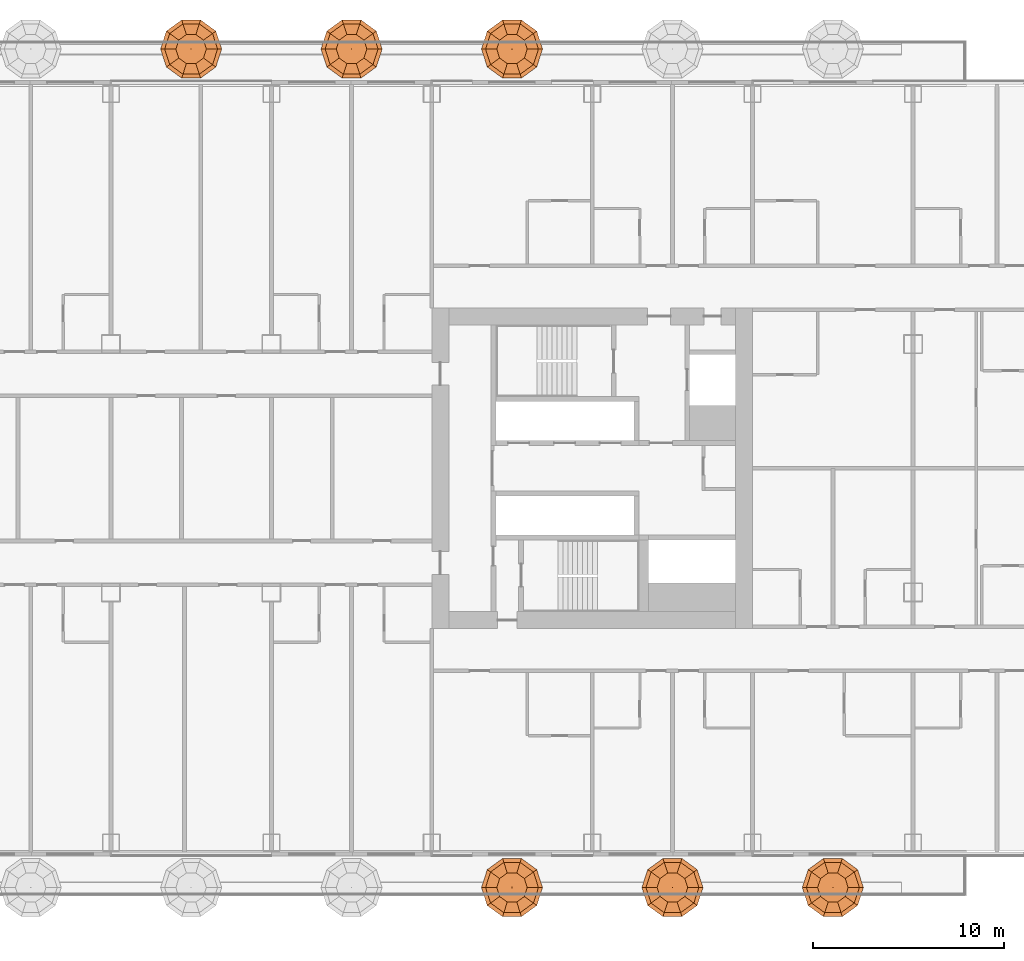
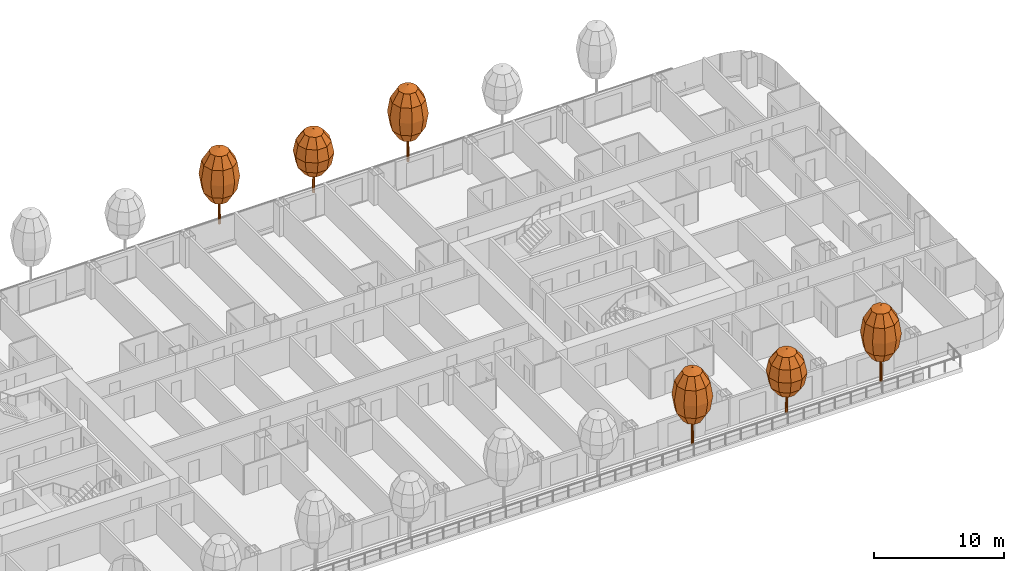
# One storey, part 35 of 36: 6 geographic elements.
"""IFC4 building model written with IfcOpenShell, lengths in metres."""

from ifc_helpers import new_model, si_unit, direction, frame, origin, place, context, subcontext, project, spatial, triangles, material, type_object, element, save


model = new_model("IFC4")

# Units and contexts
model_context = context("Model", 3, precision=1e-05, world=origin(), true_north=direction((0.0, 1.0)))
body_context = subcontext(model_context, "Body", "Model", "MODEL_VIEW")
ifc_project = project(units=[si_unit("LENGTHUNIT", "METRE"), si_unit("AREAUNIT", "SQUARE_METRE"), si_unit("VOLUMEUNIT", "CUBIC_METRE"), si_unit("PLANEANGLEUNIT", "RADIAN"), si_unit("MASSUNIT", "GRAM", prefix="KILO")], contexts=[model_context])

# Site, building, storey
site_placement = place(None, origin())
site = spatial("IfcSite", under=ifc_project, at=site_placement, CompositionType="ELEMENT")
building_placement = place(site_placement, origin())
building = spatial("IfcBuilding", under=site, at=building_placement, Name="Hakoniwa Tower and Hamabe Station Hall", CompositionType="ELEMENT")
storey_placement = place(building_placement, frame((0.0, 0.0, 26.199951171875)))
storey = spatial("IfcBuildingStorey", under=building, at=storey_placement, Name="L06", CompositionType="ELEMENT", Elevation=26.199951171875)

# Geographic elements
ifc_material_1 = material(Name="Tree foliage")
geographic_element_type_1 = type_object("IfcGeographicElementType", Name="Japanese maple 7.2 m", PredefinedType="USERDEFINED", material=ifc_material_1)
geographic_element_1_placement = place(storey_placement, frame((4.199951171875, 21.949951171875, 0.900146484375)))
element("IfcGeographicElement", 1, at=geographic_element_1_placement, inside=storey, type_object=geographic_element_type_1, Name="Japanese maple 7-2 m", ObjectType="TREE", PredefinedType="USERDEFINED", context=body_context, shape_type="Tessellation", body=[
    triangles([(0.125, 0.0, 0.0), (0.08837890625, 0.08837890625, 0.0), (0.0, 0.125, 0.0), (-0.08837890625, 0.08837890625, 0.0), (-0.125, 0.0, 0.0), (-0.08837890625, -0.08837890625, 0.0), (0.0, -0.125, 0.0), (0.08837890625, -0.08837890625, 0.0), (0.074951171875, 0.0, 4.348876953125), (0.052978515625, 0.052978515625, 4.348876953125), (0.0, 0.074951171875, 4.348876953125), (-0.052978515625, 0.052978515625, 4.348876953125), (-0.074951171875, 0.0, 4.348876953125), (-0.052978515625, -0.052978515625, 4.348876953125), (0.0, -0.074951171875, 4.348876953125), (0.052978515625, -0.052978515625, 4.348876953125), (0.0, 0.0, 0.0), (0.0, 0.0, 4.348876953125)], [[1, 2, 10], [1, 10, 9], [17, 2, 1], [18, 9, 10], [2, 3, 11], [2, 11, 10], [17, 3, 2], [18, 10, 11], [3, 4, 12], [3, 12, 11], [17, 4, 3], [18, 11, 12], [4, 5, 13], [4, 13, 12], [17, 5, 4], [18, 12, 13], [5, 6, 14], [5, 14, 13], [17, 6, 5], [18, 13, 14], [6, 7, 15], [6, 15, 14], [17, 7, 6], [18, 14, 15], [7, 8, 16], [7, 16, 15], [17, 8, 7], [18, 15, 16], [8, 1, 9], [8, 9, 16], [17, 1, 8], [18, 16, 9]], closed=True),
    triangles([(0.0, 0.0, 2.015869140625), (0.800048828125, 0.0, 2.36328125), (0.647216796875, 0.47021484375, 2.36328125), (0.247314453125, 0.7607421875, 2.36328125), (-0.247314453125, 0.7607421875, 2.36328125), (-0.647216796875, 0.47021484375, 2.36328125), (-0.800048828125, 0.0, 2.36328125), (-0.647216796875, -0.47021484375, 2.36328125), (-0.247314453125, -0.7607421875, 2.36328125), (0.247314453125, -0.7607421875, 2.36328125), (0.647216796875, -0.47021484375, 2.36328125), (1.385498046875, 0.0, 3.31201171875), (1.12109375, 0.814453125, 3.31201171875), (0.42822265625, 1.31787109375, 3.31201171875), (-0.42822265625, 1.31787109375, 3.31201171875), (-1.12109375, 0.814453125, 3.31201171875), (-1.385498046875, 0.0, 3.31201171875), (-1.12109375, -0.814453125, 3.31201171875), (-0.42822265625, -1.31787109375, 3.31201171875), (0.42822265625, -1.31787109375, 3.31201171875), (1.12109375, -0.814453125, 3.31201171875), (1.60009765625, 0.0, 4.60791015625), (1.29443359375, 0.9404296875, 4.60791015625), (0.494384765625, 1.521728515625, 4.60791015625), (-0.494384765625, 1.521728515625, 4.60791015625), (-1.29443359375, 0.9404296875, 4.60791015625), (-1.60009765625, 0.0, 4.60791015625), (-1.29443359375, -0.9404296875, 4.60791015625), (-0.494384765625, -1.521728515625, 4.60791015625), (0.494384765625, -1.521728515625, 4.60791015625), (1.29443359375, -0.9404296875, 4.60791015625), (1.385498046875, 0.0, 5.904052734375), (1.12109375, 0.814453125, 5.904052734375), (0.42822265625, 1.31787109375, 5.904052734375), (-0.42822265625, 1.31787109375, 5.904052734375), (-1.12109375, 0.814453125, 5.904052734375), (-1.385498046875, 0.0, 5.904052734375), (-1.12109375, -0.814453125, 5.904052734375), (-0.42822265625, -1.31787109375, 5.904052734375), (0.42822265625, -1.31787109375, 5.904052734375), (1.12109375, -0.814453125, 5.904052734375), (0.800048828125, 0.0, 6.852783203125), (0.647216796875, 0.47021484375, 6.852783203125), (0.247314453125, 0.7607421875, 6.852783203125), (-0.247314453125, 0.7607421875, 6.852783203125), (-0.647216796875, 0.47021484375, 6.852783203125), (-0.800048828125, 0.0, 6.852783203125), (-0.647216796875, -0.47021484375, 6.852783203125), (-0.247314453125, -0.7607421875, 6.852783203125), (0.247314453125, -0.7607421875, 6.852783203125), (0.647216796875, -0.47021484375, 6.852783203125), (0.0, 0.0, 7.199951171875)], [[1, 3, 2], [1, 4, 3], [1, 5, 4], [1, 6, 5], [1, 7, 6], [1, 8, 7], [1, 9, 8], [1, 10, 9], [1, 11, 10], [1, 2, 11], [2, 3, 13], [2, 13, 12], [3, 4, 14], [3, 14, 13], [4, 5, 15], [4, 15, 14], [5, 6, 16], [5, 16, 15], [6, 7, 17], [6, 17, 16], [7, 8, 18], [7, 18, 17], [8, 9, 19], [8, 19, 18], [9, 10, 20], [9, 20, 19], [10, 11, 21], [10, 21, 20], [11, 2, 12], [11, 12, 21], [12, 13, 23], [12, 23, 22], [13, 14, 24], [13, 24, 23], [14, 15, 25], [14, 25, 24], [15, 16, 26], [15, 26, 25], [16, 17, 27], [16, 27, 26], [17, 18, 28], [17, 28, 27], [18, 19, 29], [18, 29, 28], [19, 20, 30], [19, 30, 29], [20, 21, 31], [20, 31, 30], [21, 12, 22], [21, 22, 31], [22, 23, 33], [22, 33, 32], [23, 24, 34], [23, 34, 33], [24, 25, 35], [24, 35, 34], [25, 26, 36], [25, 36, 35], [26, 27, 37], [26, 37, 36], [27, 28, 38], [27, 38, 37], [28, 29, 39], [28, 39, 38], [29, 30, 40], [29, 40, 39], [30, 31, 41], [30, 41, 40], [31, 22, 32], [31, 32, 41], [32, 33, 43], [32, 43, 42], [33, 34, 44], [33, 44, 43], [34, 35, 45], [34, 45, 44], [35, 36, 46], [35, 46, 45], [36, 37, 47], [36, 47, 46], [37, 38, 48], [37, 48, 47], [38, 39, 49], [38, 49, 48], [39, 40, 50], [39, 50, 49], [40, 41, 51], [40, 51, 50], [41, 32, 42], [41, 42, 51], [52, 42, 43], [52, 43, 44], [52, 44, 45], [52, 45, 46], [52, 46, 47], [52, 47, 48], [52, 48, 49], [52, 49, 50], [52, 50, 51], [52, 51, 42]], closed=True),
])
geographic_element_2_placement = place(storey_placement, frame((21.0, 21.949951171875, 0.900146484375)))
element("IfcGeographicElement", 2, at=geographic_element_2_placement, inside=storey, type_object=geographic_element_type_1, Name="Japanese maple 7-2 m", ObjectType="TREE", PredefinedType="USERDEFINED", context=body_context, shape_type="Tessellation", body=[
    triangles([(0.125, 0.0, 0.0), (0.08837890625, 0.08837890625, 0.0), (0.0, 0.125, 0.0), (-0.08837890625, 0.08837890625, 0.0), (-0.125, 0.0, 0.0), (-0.08837890625, -0.08837890625, 0.0), (0.0, -0.125, 0.0), (0.08837890625, -0.08837890625, 0.0), (0.074951171875, 0.0, 4.348876953125), (0.052978515625, 0.052978515625, 4.348876953125), (0.0, 0.074951171875, 4.348876953125), (-0.052978515625, 0.052978515625, 4.348876953125), (-0.074951171875, 0.0, 4.348876953125), (-0.052978515625, -0.052978515625, 4.348876953125), (0.0, -0.074951171875, 4.348876953125), (0.052978515625, -0.052978515625, 4.348876953125), (0.0, 0.0, 0.0), (0.0, 0.0, 4.348876953125)], [[1, 2, 10], [1, 10, 9], [17, 2, 1], [18, 9, 10], [2, 3, 11], [2, 11, 10], [17, 3, 2], [18, 10, 11], [3, 4, 12], [3, 12, 11], [17, 4, 3], [18, 11, 12], [4, 5, 13], [4, 13, 12], [17, 5, 4], [18, 12, 13], [5, 6, 14], [5, 14, 13], [17, 6, 5], [18, 13, 14], [6, 7, 15], [6, 15, 14], [17, 7, 6], [18, 14, 15], [7, 8, 16], [7, 16, 15], [17, 8, 7], [18, 15, 16], [8, 1, 9], [8, 9, 16], [17, 1, 8], [18, 16, 9]], closed=True),
    triangles([(0.0, 0.0, 2.015869140625), (0.800048828125, 0.0, 2.36328125), (0.647216796875, 0.47021484375, 2.36328125), (0.247314453125, 0.7607421875, 2.36328125), (-0.247314453125, 0.7607421875, 2.36328125), (-0.647216796875, 0.47021484375, 2.36328125), (-0.800048828125, 0.0, 2.36328125), (-0.647216796875, -0.47021484375, 2.36328125), (-0.247314453125, -0.7607421875, 2.36328125), (0.247314453125, -0.7607421875, 2.36328125), (0.647216796875, -0.47021484375, 2.36328125), (1.385498046875, 0.0, 3.31201171875), (1.12109375, 0.814453125, 3.31201171875), (0.42822265625, 1.31787109375, 3.31201171875), (-0.42822265625, 1.31787109375, 3.31201171875), (-1.12109375, 0.814453125, 3.31201171875), (-1.385498046875, 0.0, 3.31201171875), (-1.12109375, -0.814453125, 3.31201171875), (-0.42822265625, -1.31787109375, 3.31201171875), (0.42822265625, -1.31787109375, 3.31201171875), (1.12109375, -0.814453125, 3.31201171875), (1.60009765625, 0.0, 4.60791015625), (1.29443359375, 0.9404296875, 4.60791015625), (0.494384765625, 1.521728515625, 4.60791015625), (-0.494384765625, 1.521728515625, 4.60791015625), (-1.29443359375, 0.9404296875, 4.60791015625), (-1.60009765625, 0.0, 4.60791015625), (-1.29443359375, -0.9404296875, 4.60791015625), (-0.494384765625, -1.521728515625, 4.60791015625), (0.494384765625, -1.521728515625, 4.60791015625), (1.29443359375, -0.9404296875, 4.60791015625), (1.385498046875, 0.0, 5.904052734375), (1.12109375, 0.814453125, 5.904052734375), (0.42822265625, 1.31787109375, 5.904052734375), (-0.42822265625, 1.31787109375, 5.904052734375), (-1.12109375, 0.814453125, 5.904052734375), (-1.385498046875, 0.0, 5.904052734375), (-1.12109375, -0.814453125, 5.904052734375), (-0.42822265625, -1.31787109375, 5.904052734375), (0.42822265625, -1.31787109375, 5.904052734375), (1.12109375, -0.814453125, 5.904052734375), (0.800048828125, 0.0, 6.852783203125), (0.647216796875, 0.47021484375, 6.852783203125), (0.247314453125, 0.7607421875, 6.852783203125), (-0.247314453125, 0.7607421875, 6.852783203125), (-0.647216796875, 0.47021484375, 6.852783203125), (-0.800048828125, 0.0, 6.852783203125), (-0.647216796875, -0.47021484375, 6.852783203125), (-0.247314453125, -0.7607421875, 6.852783203125), (0.247314453125, -0.7607421875, 6.852783203125), (0.647216796875, -0.47021484375, 6.852783203125), (0.0, 0.0, 7.199951171875)], [[1, 3, 2], [1, 4, 3], [1, 5, 4], [1, 6, 5], [1, 7, 6], [1, 8, 7], [1, 9, 8], [1, 10, 9], [1, 11, 10], [1, 2, 11], [2, 3, 13], [2, 13, 12], [3, 4, 14], [3, 14, 13], [4, 5, 15], [4, 15, 14], [5, 6, 16], [5, 16, 15], [6, 7, 17], [6, 17, 16], [7, 8, 18], [7, 18, 17], [8, 9, 19], [8, 19, 18], [9, 10, 20], [9, 20, 19], [10, 11, 21], [10, 21, 20], [11, 2, 12], [11, 12, 21], [12, 13, 23], [12, 23, 22], [13, 14, 24], [13, 24, 23], [14, 15, 25], [14, 25, 24], [15, 16, 26], [15, 26, 25], [16, 17, 27], [16, 27, 26], [17, 18, 28], [17, 28, 27], [18, 19, 29], [18, 29, 28], [19, 20, 30], [19, 30, 29], [20, 21, 31], [20, 31, 30], [21, 12, 22], [21, 22, 31], [22, 23, 33], [22, 33, 32], [23, 24, 34], [23, 34, 33], [24, 25, 35], [24, 35, 34], [25, 26, 36], [25, 36, 35], [26, 27, 37], [26, 37, 36], [27, 28, 38], [27, 38, 37], [28, 29, 39], [28, 39, 38], [29, 30, 40], [29, 40, 39], [30, 31, 41], [30, 41, 40], [31, 22, 32], [31, 32, 41], [32, 33, 43], [32, 43, 42], [33, 34, 44], [33, 44, 43], [34, 35, 45], [34, 45, 44], [35, 36, 46], [35, 46, 45], [36, 37, 47], [36, 47, 46], [37, 38, 48], [37, 48, 47], [38, 39, 49], [38, 49, 48], [39, 40, 50], [39, 50, 49], [40, 41, 51], [40, 51, 50], [41, 32, 42], [41, 42, 51], [52, 42, 43], [52, 43, 44], [52, 44, 45], [52, 45, 46], [52, 46, 47], [52, 47, 48], [52, 48, 49], [52, 49, 50], [52, 50, 51], [52, 51, 42]], closed=True),
])
geographic_element_3_placement = place(storey_placement, frame((21.0, -21.949951171875, 0.900146484375)))
element("IfcGeographicElement", 3, at=geographic_element_3_placement, inside=storey, type_object=geographic_element_type_1, Name="Japanese maple 7-2 m", ObjectType="TREE", PredefinedType="USERDEFINED", context=body_context, shape_type="Tessellation", body=[
    triangles([(0.125, 0.0, 0.0), (0.08837890625, 0.08837890625, 0.0), (0.0, 0.125, 0.0), (-0.08837890625, 0.08837890625, 0.0), (-0.125, 0.0, 0.0), (-0.08837890625, -0.08837890625, 0.0), (0.0, -0.125, 0.0), (0.08837890625, -0.08837890625, 0.0), (0.074951171875, 0.0, 4.348876953125), (0.052978515625, 0.052978515625, 4.348876953125), (0.0, 0.074951171875, 4.348876953125), (-0.052978515625, 0.052978515625, 4.348876953125), (-0.074951171875, 0.0, 4.348876953125), (-0.052978515625, -0.052978515625, 4.348876953125), (0.0, -0.074951171875, 4.348876953125), (0.052978515625, -0.052978515625, 4.348876953125), (0.0, 0.0, 0.0), (0.0, 0.0, 4.348876953125)], [[1, 2, 10], [1, 10, 9], [17, 2, 1], [18, 9, 10], [2, 3, 11], [2, 11, 10], [17, 3, 2], [18, 10, 11], [3, 4, 12], [3, 12, 11], [17, 4, 3], [18, 11, 12], [4, 5, 13], [4, 13, 12], [17, 5, 4], [18, 12, 13], [5, 6, 14], [5, 14, 13], [17, 6, 5], [18, 13, 14], [6, 7, 15], [6, 15, 14], [17, 7, 6], [18, 14, 15], [7, 8, 16], [7, 16, 15], [17, 8, 7], [18, 15, 16], [8, 1, 9], [8, 9, 16], [17, 1, 8], [18, 16, 9]], closed=True),
    triangles([(0.0, 0.0, 2.015869140625), (0.800048828125, 0.0, 2.36328125), (0.647216796875, 0.47021484375, 2.36328125), (0.247314453125, 0.7607421875, 2.36328125), (-0.247314453125, 0.7607421875, 2.36328125), (-0.647216796875, 0.47021484375, 2.36328125), (-0.800048828125, 0.0, 2.36328125), (-0.647216796875, -0.47021484375, 2.36328125), (-0.247314453125, -0.7607421875, 2.36328125), (0.247314453125, -0.7607421875, 2.36328125), (0.647216796875, -0.47021484375, 2.36328125), (1.385498046875, 0.0, 3.31201171875), (1.12109375, 0.814453125, 3.31201171875), (0.42822265625, 1.31787109375, 3.31201171875), (-0.42822265625, 1.31787109375, 3.31201171875), (-1.12109375, 0.814453125, 3.31201171875), (-1.385498046875, 0.0, 3.31201171875), (-1.12109375, -0.814453125, 3.31201171875), (-0.42822265625, -1.31787109375, 3.31201171875), (0.42822265625, -1.31787109375, 3.31201171875), (1.12109375, -0.814453125, 3.31201171875), (1.60009765625, 0.0, 4.60791015625), (1.29443359375, 0.9404296875, 4.60791015625), (0.494384765625, 1.521728515625, 4.60791015625), (-0.494384765625, 1.521728515625, 4.60791015625), (-1.29443359375, 0.9404296875, 4.60791015625), (-1.60009765625, 0.0, 4.60791015625), (-1.29443359375, -0.9404296875, 4.60791015625), (-0.494384765625, -1.521728515625, 4.60791015625), (0.494384765625, -1.521728515625, 4.60791015625), (1.29443359375, -0.9404296875, 4.60791015625), (1.385498046875, 0.0, 5.904052734375), (1.12109375, 0.814453125, 5.904052734375), (0.42822265625, 1.31787109375, 5.904052734375), (-0.42822265625, 1.31787109375, 5.904052734375), (-1.12109375, 0.814453125, 5.904052734375), (-1.385498046875, 0.0, 5.904052734375), (-1.12109375, -0.814453125, 5.904052734375), (-0.42822265625, -1.31787109375, 5.904052734375), (0.42822265625, -1.31787109375, 5.904052734375), (1.12109375, -0.814453125, 5.904052734375), (0.800048828125, 0.0, 6.852783203125), (0.647216796875, 0.47021484375, 6.852783203125), (0.247314453125, 0.7607421875, 6.852783203125), (-0.247314453125, 0.7607421875, 6.852783203125), (-0.647216796875, 0.47021484375, 6.852783203125), (-0.800048828125, 0.0, 6.852783203125), (-0.647216796875, -0.47021484375, 6.852783203125), (-0.247314453125, -0.7607421875, 6.852783203125), (0.247314453125, -0.7607421875, 6.852783203125), (0.647216796875, -0.47021484375, 6.852783203125), (0.0, 0.0, 7.199951171875)], [[1, 3, 2], [1, 4, 3], [1, 5, 4], [1, 6, 5], [1, 7, 6], [1, 8, 7], [1, 9, 8], [1, 10, 9], [1, 11, 10], [1, 2, 11], [2, 3, 13], [2, 13, 12], [3, 4, 14], [3, 14, 13], [4, 5, 15], [4, 15, 14], [5, 6, 16], [5, 16, 15], [6, 7, 17], [6, 17, 16], [7, 8, 18], [7, 18, 17], [8, 9, 19], [8, 19, 18], [9, 10, 20], [9, 20, 19], [10, 11, 21], [10, 21, 20], [11, 2, 12], [11, 12, 21], [12, 13, 23], [12, 23, 22], [13, 14, 24], [13, 24, 23], [14, 15, 25], [14, 25, 24], [15, 16, 26], [15, 26, 25], [16, 17, 27], [16, 27, 26], [17, 18, 28], [17, 28, 27], [18, 19, 29], [18, 29, 28], [19, 20, 30], [19, 30, 29], [20, 21, 31], [20, 31, 30], [21, 12, 22], [21, 22, 31], [22, 23, 33], [22, 33, 32], [23, 24, 34], [23, 34, 33], [24, 25, 35], [24, 35, 34], [25, 26, 36], [25, 36, 35], [26, 27, 37], [26, 37, 36], [27, 28, 38], [27, 38, 37], [28, 29, 39], [28, 39, 38], [29, 30, 40], [29, 40, 39], [30, 31, 41], [30, 41, 40], [31, 22, 32], [31, 32, 41], [32, 33, 43], [32, 43, 42], [33, 34, 44], [33, 44, 43], [34, 35, 45], [34, 45, 44], [35, 36, 46], [35, 46, 45], [36, 37, 47], [36, 47, 46], [37, 38, 48], [37, 48, 47], [38, 39, 49], [38, 49, 48], [39, 40, 50], [39, 50, 49], [40, 41, 51], [40, 51, 50], [41, 32, 42], [41, 42, 51], [52, 42, 43], [52, 43, 44], [52, 44, 45], [52, 45, 46], [52, 46, 47], [52, 47, 48], [52, 48, 49], [52, 49, 50], [52, 50, 51], [52, 51, 42]], closed=True),
])
geographic_element_4_placement = place(storey_placement, frame((37.800048828125, -21.949951171875, 0.900146484375)))
element("IfcGeographicElement", 4, at=geographic_element_4_placement, inside=storey, type_object=geographic_element_type_1, Name="Japanese maple 7-2 m", ObjectType="TREE", PredefinedType="USERDEFINED", context=body_context, shape_type="Tessellation", body=[
    triangles([(0.125, 0.0, 0.0), (0.08837890625, 0.08837890625, 0.0), (0.0, 0.125, 0.0), (-0.08837890625, 0.08837890625, 0.0), (-0.125, 0.0, 0.0), (-0.08837890625, -0.08837890625, 0.0), (0.0, -0.125, 0.0), (0.08837890625, -0.08837890625, 0.0), (0.074951171875, 0.0, 4.348876953125), (0.052978515625, 0.052978515625, 4.348876953125), (0.0, 0.074951171875, 4.348876953125), (-0.052978515625, 0.052978515625, 4.348876953125), (-0.074951171875, 0.0, 4.348876953125), (-0.052978515625, -0.052978515625, 4.348876953125), (0.0, -0.074951171875, 4.348876953125), (0.052978515625, -0.052978515625, 4.348876953125), (0.0, 0.0, 0.0), (0.0, 0.0, 4.348876953125)], [[1, 2, 10], [1, 10, 9], [17, 2, 1], [18, 9, 10], [2, 3, 11], [2, 11, 10], [17, 3, 2], [18, 10, 11], [3, 4, 12], [3, 12, 11], [17, 4, 3], [18, 11, 12], [4, 5, 13], [4, 13, 12], [17, 5, 4], [18, 12, 13], [5, 6, 14], [5, 14, 13], [17, 6, 5], [18, 13, 14], [6, 7, 15], [6, 15, 14], [17, 7, 6], [18, 14, 15], [7, 8, 16], [7, 16, 15], [17, 8, 7], [18, 15, 16], [8, 1, 9], [8, 9, 16], [17, 1, 8], [18, 16, 9]], closed=True),
    triangles([(0.0, 0.0, 2.015869140625), (0.800048828125, 0.0, 2.36328125), (0.647216796875, 0.47021484375, 2.36328125), (0.247314453125, 0.7607421875, 2.36328125), (-0.247314453125, 0.7607421875, 2.36328125), (-0.647216796875, 0.47021484375, 2.36328125), (-0.800048828125, 0.0, 2.36328125), (-0.647216796875, -0.47021484375, 2.36328125), (-0.247314453125, -0.7607421875, 2.36328125), (0.247314453125, -0.7607421875, 2.36328125), (0.647216796875, -0.47021484375, 2.36328125), (1.385498046875, 0.0, 3.31201171875), (1.12109375, 0.814453125, 3.31201171875), (0.42822265625, 1.31787109375, 3.31201171875), (-0.42822265625, 1.31787109375, 3.31201171875), (-1.12109375, 0.814453125, 3.31201171875), (-1.385498046875, 0.0, 3.31201171875), (-1.12109375, -0.814453125, 3.31201171875), (-0.42822265625, -1.31787109375, 3.31201171875), (0.42822265625, -1.31787109375, 3.31201171875), (1.12109375, -0.814453125, 3.31201171875), (1.60009765625, 0.0, 4.60791015625), (1.29443359375, 0.9404296875, 4.60791015625), (0.494384765625, 1.521728515625, 4.60791015625), (-0.494384765625, 1.521728515625, 4.60791015625), (-1.29443359375, 0.9404296875, 4.60791015625), (-1.60009765625, 0.0, 4.60791015625), (-1.29443359375, -0.9404296875, 4.60791015625), (-0.494384765625, -1.521728515625, 4.60791015625), (0.494384765625, -1.521728515625, 4.60791015625), (1.29443359375, -0.9404296875, 4.60791015625), (1.385498046875, 0.0, 5.904052734375), (1.12109375, 0.814453125, 5.904052734375), (0.42822265625, 1.31787109375, 5.904052734375), (-0.42822265625, 1.31787109375, 5.904052734375), (-1.12109375, 0.814453125, 5.904052734375), (-1.385498046875, 0.0, 5.904052734375), (-1.12109375, -0.814453125, 5.904052734375), (-0.42822265625, -1.31787109375, 5.904052734375), (0.42822265625, -1.31787109375, 5.904052734375), (1.12109375, -0.814453125, 5.904052734375), (0.800048828125, 0.0, 6.852783203125), (0.647216796875, 0.47021484375, 6.852783203125), (0.247314453125, 0.7607421875, 6.852783203125), (-0.247314453125, 0.7607421875, 6.852783203125), (-0.647216796875, 0.47021484375, 6.852783203125), (-0.800048828125, 0.0, 6.852783203125), (-0.647216796875, -0.47021484375, 6.852783203125), (-0.247314453125, -0.7607421875, 6.852783203125), (0.247314453125, -0.7607421875, 6.852783203125), (0.647216796875, -0.47021484375, 6.852783203125), (0.0, 0.0, 7.199951171875)], [[1, 3, 2], [1, 4, 3], [1, 5, 4], [1, 6, 5], [1, 7, 6], [1, 8, 7], [1, 9, 8], [1, 10, 9], [1, 11, 10], [1, 2, 11], [2, 3, 13], [2, 13, 12], [3, 4, 14], [3, 14, 13], [4, 5, 15], [4, 15, 14], [5, 6, 16], [5, 16, 15], [6, 7, 17], [6, 17, 16], [7, 8, 18], [7, 18, 17], [8, 9, 19], [8, 19, 18], [9, 10, 20], [9, 20, 19], [10, 11, 21], [10, 21, 20], [11, 2, 12], [11, 12, 21], [12, 13, 23], [12, 23, 22], [13, 14, 24], [13, 24, 23], [14, 15, 25], [14, 25, 24], [15, 16, 26], [15, 26, 25], [16, 17, 27], [16, 27, 26], [17, 18, 28], [17, 28, 27], [18, 19, 29], [18, 29, 28], [19, 20, 30], [19, 30, 29], [20, 21, 31], [20, 31, 30], [21, 12, 22], [21, 22, 31], [22, 23, 33], [22, 33, 32], [23, 24, 34], [23, 34, 33], [24, 25, 35], [24, 35, 34], [25, 26, 36], [25, 36, 35], [26, 27, 37], [26, 37, 36], [27, 28, 38], [27, 38, 37], [28, 29, 39], [28, 39, 38], [29, 30, 40], [29, 40, 39], [30, 31, 41], [30, 41, 40], [31, 22, 32], [31, 32, 41], [32, 33, 43], [32, 43, 42], [33, 34, 44], [33, 44, 43], [34, 35, 45], [34, 45, 44], [35, 36, 46], [35, 46, 45], [36, 37, 47], [36, 47, 46], [37, 38, 48], [37, 48, 47], [38, 39, 49], [38, 49, 48], [39, 40, 50], [39, 50, 49], [40, 41, 51], [40, 51, 50], [41, 32, 42], [41, 42, 51], [52, 42, 43], [52, 43, 44], [52, 44, 45], [52, 45, 46], [52, 46, 47], [52, 47, 48], [52, 48, 49], [52, 49, 50], [52, 50, 51], [52, 51, 42]], closed=True),
])
ifc_material_2 = material(Name="Tree foliage")
geographic_element_type_2 = type_object("IfcGeographicElementType", Name="Osmanthus 6.0 m", PredefinedType="USERDEFINED", material=ifc_material_2)
geographic_element_5_placement = place(storey_placement, frame((12.60009765625, 21.949951171875, 0.900146484375)))
element("IfcGeographicElement", 5, at=geographic_element_5_placement, inside=storey, type_object=geographic_element_type_2, Name="Osmanthus 6-0 m", ObjectType="TREE", PredefinedType="USERDEFINED", context=body_context, shape_type="Tessellation", body=[
    triangles([(0.125, 0.0, 0.0), (0.08837890625, 0.08837890625, 0.0), (0.0, 0.125, 0.0), (-0.08837890625, 0.08837890625, 0.0), (-0.125, 0.0, 0.0), (-0.08837890625, -0.08837890625, 0.0), (0.0, -0.125, 0.0), (0.08837890625, -0.08837890625, 0.0), (0.074951171875, 0.0, 3.6240234375), (0.052978515625, 0.052978515625, 3.6240234375), (0.0, 0.074951171875, 3.6240234375), (-0.052978515625, 0.052978515625, 3.6240234375), (-0.074951171875, 0.0, 3.6240234375), (-0.052978515625, -0.052978515625, 3.6240234375), (0.0, -0.074951171875, 3.6240234375), (0.052978515625, -0.052978515625, 3.6240234375), (0.0, 0.0, 0.0), (0.0, 0.0, 3.6240234375)], [[1, 2, 10], [1, 10, 9], [17, 2, 1], [18, 9, 10], [2, 3, 11], [2, 11, 10], [17, 3, 2], [18, 10, 11], [3, 4, 12], [3, 12, 11], [17, 4, 3], [18, 11, 12], [4, 5, 13], [4, 13, 12], [17, 5, 4], [18, 12, 13], [5, 6, 14], [5, 14, 13], [17, 6, 5], [18, 13, 14], [6, 7, 15], [6, 15, 14], [17, 7, 6], [18, 14, 15], [7, 8, 16], [7, 16, 15], [17, 8, 7], [18, 15, 16], [8, 1, 9], [8, 9, 16], [17, 1, 8], [18, 16, 9]], closed=True),
    triangles([(0.0, 0.0, 1.679931640625), (0.800048828125, 0.0, 1.969482421875), (0.647216796875, 0.47021484375, 1.969482421875), (0.247314453125, 0.7607421875, 1.969482421875), (-0.247314453125, 0.7607421875, 1.969482421875), (-0.647216796875, 0.47021484375, 1.969482421875), (-0.800048828125, 0.0, 1.969482421875), (-0.647216796875, -0.47021484375, 1.969482421875), (-0.247314453125, -0.7607421875, 1.969482421875), (0.247314453125, -0.7607421875, 1.969482421875), (0.647216796875, -0.47021484375, 1.969482421875), (1.385498046875, 0.0, 2.760009765625), (1.12109375, 0.814453125, 2.760009765625), (0.42822265625, 1.31787109375, 2.760009765625), (-0.42822265625, 1.31787109375, 2.760009765625), (-1.12109375, 0.814453125, 2.760009765625), (-1.385498046875, 0.0, 2.760009765625), (-1.12109375, -0.814453125, 2.760009765625), (-0.42822265625, -1.31787109375, 2.760009765625), (0.42822265625, -1.31787109375, 2.760009765625), (1.12109375, -0.814453125, 2.760009765625), (1.60009765625, 0.0, 3.840087890625), (1.29443359375, 0.9404296875, 3.840087890625), (0.494384765625, 1.521728515625, 3.840087890625), (-0.494384765625, 1.521728515625, 3.840087890625), (-1.29443359375, 0.9404296875, 3.840087890625), (-1.60009765625, 0.0, 3.840087890625), (-1.29443359375, -0.9404296875, 3.840087890625), (-0.494384765625, -1.521728515625, 3.840087890625), (0.494384765625, -1.521728515625, 3.840087890625), (1.29443359375, -0.9404296875, 3.840087890625), (1.385498046875, 0.0, 4.919921875), (1.12109375, 0.814453125, 4.919921875), (0.42822265625, 1.31787109375, 4.919921875), (-0.42822265625, 1.31787109375, 4.919921875), (-1.12109375, 0.814453125, 4.919921875), (-1.385498046875, 0.0, 4.919921875), (-1.12109375, -0.814453125, 4.919921875), (-0.42822265625, -1.31787109375, 4.919921875), (0.42822265625, -1.31787109375, 4.919921875), (1.12109375, -0.814453125, 4.919921875), (0.800048828125, 0.0, 5.710693359375), (0.647216796875, 0.47021484375, 5.710693359375), (0.247314453125, 0.7607421875, 5.710693359375), (-0.247314453125, 0.7607421875, 5.710693359375), (-0.647216796875, 0.47021484375, 5.710693359375), (-0.800048828125, 0.0, 5.710693359375), (-0.647216796875, -0.47021484375, 5.710693359375), (-0.247314453125, -0.7607421875, 5.710693359375), (0.247314453125, -0.7607421875, 5.710693359375), (0.647216796875, -0.47021484375, 5.710693359375), (0.0, 0.0, 6.0)], [[1, 3, 2], [1, 4, 3], [1, 5, 4], [1, 6, 5], [1, 7, 6], [1, 8, 7], [1, 9, 8], [1, 10, 9], [1, 11, 10], [1, 2, 11], [2, 3, 13], [2, 13, 12], [3, 4, 14], [3, 14, 13], [4, 5, 15], [4, 15, 14], [5, 6, 16], [5, 16, 15], [6, 7, 17], [6, 17, 16], [7, 8, 18], [7, 18, 17], [8, 9, 19], [8, 19, 18], [9, 10, 20], [9, 20, 19], [10, 11, 21], [10, 21, 20], [11, 2, 12], [11, 12, 21], [12, 13, 23], [12, 23, 22], [13, 14, 24], [13, 24, 23], [14, 15, 25], [14, 25, 24], [15, 16, 26], [15, 26, 25], [16, 17, 27], [16, 27, 26], [17, 18, 28], [17, 28, 27], [18, 19, 29], [18, 29, 28], [19, 20, 30], [19, 30, 29], [20, 21, 31], [20, 31, 30], [21, 12, 22], [21, 22, 31], [22, 23, 33], [22, 33, 32], [23, 24, 34], [23, 34, 33], [24, 25, 35], [24, 35, 34], [25, 26, 36], [25, 36, 35], [26, 27, 37], [26, 37, 36], [27, 28, 38], [27, 38, 37], [28, 29, 39], [28, 39, 38], [29, 30, 40], [29, 40, 39], [30, 31, 41], [30, 41, 40], [31, 22, 32], [31, 32, 41], [32, 33, 43], [32, 43, 42], [33, 34, 44], [33, 44, 43], [34, 35, 45], [34, 45, 44], [35, 36, 46], [35, 46, 45], [36, 37, 47], [36, 47, 46], [37, 38, 48], [37, 48, 47], [38, 39, 49], [38, 49, 48], [39, 40, 50], [39, 50, 49], [40, 41, 51], [40, 51, 50], [41, 32, 42], [41, 42, 51], [52, 42, 43], [52, 43, 44], [52, 44, 45], [52, 45, 46], [52, 46, 47], [52, 47, 48], [52, 48, 49], [52, 49, 50], [52, 50, 51], [52, 51, 42]], closed=True),
])
geographic_element_6_placement = place(storey_placement, frame((29.39990234375, -21.949951171875, 0.900146484375)))
element("IfcGeographicElement", 6, at=geographic_element_6_placement, inside=storey, type_object=geographic_element_type_2, Name="Osmanthus 6-0 m", ObjectType="TREE", PredefinedType="USERDEFINED", context=body_context, shape_type="Tessellation", body=[
    triangles([(0.125, 0.0, 0.0), (0.08837890625, 0.08837890625, 0.0), (0.0, 0.125, 0.0), (-0.08837890625, 0.08837890625, 0.0), (-0.125, 0.0, 0.0), (-0.08837890625, -0.08837890625, 0.0), (0.0, -0.125, 0.0), (0.08837890625, -0.08837890625, 0.0), (0.074951171875, 0.0, 3.6240234375), (0.052978515625, 0.052978515625, 3.6240234375), (0.0, 0.074951171875, 3.6240234375), (-0.052978515625, 0.052978515625, 3.6240234375), (-0.074951171875, 0.0, 3.6240234375), (-0.052978515625, -0.052978515625, 3.6240234375), (0.0, -0.074951171875, 3.6240234375), (0.052978515625, -0.052978515625, 3.6240234375), (0.0, 0.0, 0.0), (0.0, 0.0, 3.6240234375)], [[1, 2, 10], [1, 10, 9], [17, 2, 1], [18, 9, 10], [2, 3, 11], [2, 11, 10], [17, 3, 2], [18, 10, 11], [3, 4, 12], [3, 12, 11], [17, 4, 3], [18, 11, 12], [4, 5, 13], [4, 13, 12], [17, 5, 4], [18, 12, 13], [5, 6, 14], [5, 14, 13], [17, 6, 5], [18, 13, 14], [6, 7, 15], [6, 15, 14], [17, 7, 6], [18, 14, 15], [7, 8, 16], [7, 16, 15], [17, 8, 7], [18, 15, 16], [8, 1, 9], [8, 9, 16], [17, 1, 8], [18, 16, 9]], closed=True),
    triangles([(0.0, 0.0, 1.679931640625), (0.800048828125, 0.0, 1.969482421875), (0.647216796875, 0.47021484375, 1.969482421875), (0.247314453125, 0.7607421875, 1.969482421875), (-0.247314453125, 0.7607421875, 1.969482421875), (-0.647216796875, 0.47021484375, 1.969482421875), (-0.800048828125, 0.0, 1.969482421875), (-0.647216796875, -0.47021484375, 1.969482421875), (-0.247314453125, -0.7607421875, 1.969482421875), (0.247314453125, -0.7607421875, 1.969482421875), (0.647216796875, -0.47021484375, 1.969482421875), (1.385498046875, 0.0, 2.760009765625), (1.12109375, 0.814453125, 2.760009765625), (0.42822265625, 1.31787109375, 2.760009765625), (-0.42822265625, 1.31787109375, 2.760009765625), (-1.12109375, 0.814453125, 2.760009765625), (-1.385498046875, 0.0, 2.760009765625), (-1.12109375, -0.814453125, 2.760009765625), (-0.42822265625, -1.31787109375, 2.760009765625), (0.42822265625, -1.31787109375, 2.760009765625), (1.12109375, -0.814453125, 2.760009765625), (1.60009765625, 0.0, 3.840087890625), (1.29443359375, 0.9404296875, 3.840087890625), (0.494384765625, 1.521728515625, 3.840087890625), (-0.494384765625, 1.521728515625, 3.840087890625), (-1.29443359375, 0.9404296875, 3.840087890625), (-1.60009765625, 0.0, 3.840087890625), (-1.29443359375, -0.9404296875, 3.840087890625), (-0.494384765625, -1.521728515625, 3.840087890625), (0.494384765625, -1.521728515625, 3.840087890625), (1.29443359375, -0.9404296875, 3.840087890625), (1.385498046875, 0.0, 4.919921875), (1.12109375, 0.814453125, 4.919921875), (0.42822265625, 1.31787109375, 4.919921875), (-0.42822265625, 1.31787109375, 4.919921875), (-1.12109375, 0.814453125, 4.919921875), (-1.385498046875, 0.0, 4.919921875), (-1.12109375, -0.814453125, 4.919921875), (-0.42822265625, -1.31787109375, 4.919921875), (0.42822265625, -1.31787109375, 4.919921875), (1.12109375, -0.814453125, 4.919921875), (0.800048828125, 0.0, 5.710693359375), (0.647216796875, 0.47021484375, 5.710693359375), (0.247314453125, 0.7607421875, 5.710693359375), (-0.247314453125, 0.7607421875, 5.710693359375), (-0.647216796875, 0.47021484375, 5.710693359375), (-0.800048828125, 0.0, 5.710693359375), (-0.647216796875, -0.47021484375, 5.710693359375), (-0.247314453125, -0.7607421875, 5.710693359375), (0.247314453125, -0.7607421875, 5.710693359375), (0.647216796875, -0.47021484375, 5.710693359375), (0.0, 0.0, 6.0)], [[1, 3, 2], [1, 4, 3], [1, 5, 4], [1, 6, 5], [1, 7, 6], [1, 8, 7], [1, 9, 8], [1, 10, 9], [1, 11, 10], [1, 2, 11], [2, 3, 13], [2, 13, 12], [3, 4, 14], [3, 14, 13], [4, 5, 15], [4, 15, 14], [5, 6, 16], [5, 16, 15], [6, 7, 17], [6, 17, 16], [7, 8, 18], [7, 18, 17], [8, 9, 19], [8, 19, 18], [9, 10, 20], [9, 20, 19], [10, 11, 21], [10, 21, 20], [11, 2, 12], [11, 12, 21], [12, 13, 23], [12, 23, 22], [13, 14, 24], [13, 24, 23], [14, 15, 25], [14, 25, 24], [15, 16, 26], [15, 26, 25], [16, 17, 27], [16, 27, 26], [17, 18, 28], [17, 28, 27], [18, 19, 29], [18, 29, 28], [19, 20, 30], [19, 30, 29], [20, 21, 31], [20, 31, 30], [21, 12, 22], [21, 22, 31], [22, 23, 33], [22, 33, 32], [23, 24, 34], [23, 34, 33], [24, 25, 35], [24, 35, 34], [25, 26, 36], [25, 36, 35], [26, 27, 37], [26, 37, 36], [27, 28, 38], [27, 38, 37], [28, 29, 39], [28, 39, 38], [29, 30, 40], [29, 40, 39], [30, 31, 41], [30, 41, 40], [31, 22, 32], [31, 32, 41], [32, 33, 43], [32, 43, 42], [33, 34, 44], [33, 44, 43], [34, 35, 45], [34, 45, 44], [35, 36, 46], [35, 46, 45], [36, 37, 47], [36, 47, 46], [37, 38, 48], [37, 48, 47], [38, 39, 49], [38, 49, 48], [39, 40, 50], [39, 50, 49], [40, 41, 51], [40, 51, 50], [41, 32, 42], [41, 42, 51], [52, 42, 43], [52, 43, 44], [52, 44, 45], [52, 45, 46], [52, 46, 47], [52, 47, 48], [52, 48, 49], [52, 49, 50], [52, 50, 51], [52, 51, 42]], closed=True),
])

save(model, "model.ifc")
